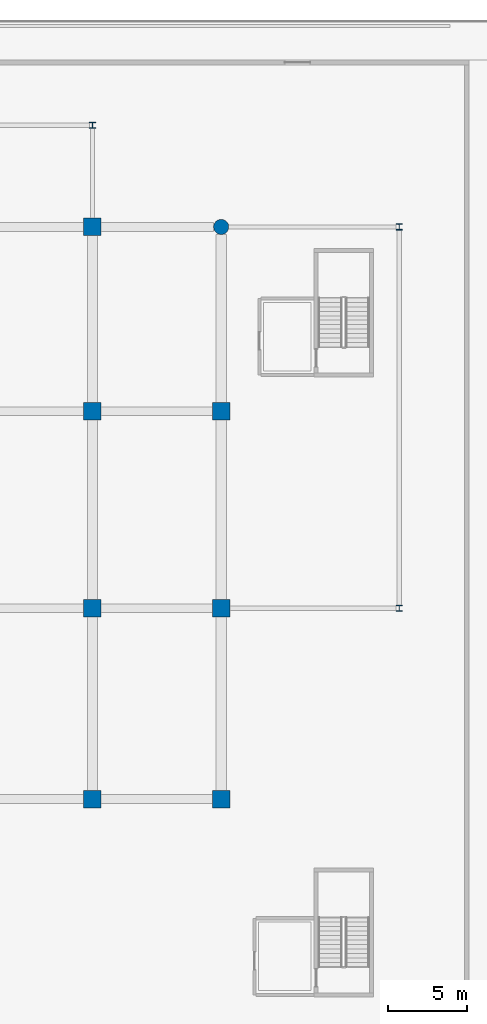
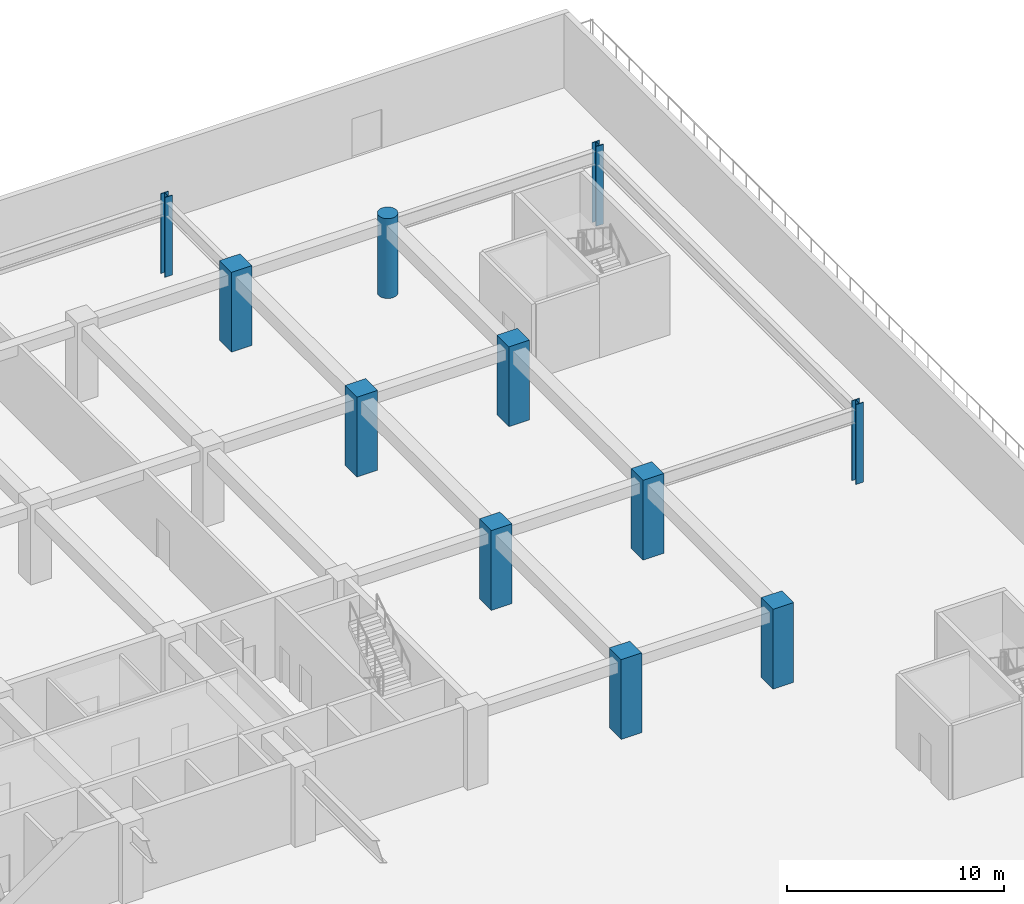
# One storey, part 6 of 40: 11 columns.
"""IFC4 building model written with IfcOpenShell, lengths in metres."""

from ifc_helpers import new_model, si_unit, direction, frame, origin, origin_2d, place, context, subcontext, project, spatial, rectangle, circle, i_section, extrude, material, material_profile, profile_set, type_object, element, save


model = new_model("IFC4")

# Units and contexts
model_context = context("Model", 3, precision=1e-05, world=origin(), true_north=direction((0.0, 1.0)))
body_context = subcontext(model_context, "Body", "Model", "MODEL_VIEW")
ifc_project = project(units=[si_unit("LENGTHUNIT", "METRE"), si_unit("AREAUNIT", "SQUARE_METRE"), si_unit("VOLUMEUNIT", "CUBIC_METRE"), si_unit("PLANEANGLEUNIT", "RADIAN"), si_unit("MASSUNIT", "GRAM", prefix="KILO")], contexts=[model_context])

# Site, building, storey
site_placement = place(None, origin())
site = spatial("IfcSite", under=ifc_project, at=site_placement, CompositionType="ELEMENT")
building_placement = place(site_placement, origin())
building = spatial("IfcBuilding", under=site, at=building_placement, Name="Korimba Cascade Residences", CompositionType="ELEMENT")
storey_placement = place(building_placement, frame((0.0, 0.0, 14.5)))
storey = spatial("IfcBuildingStorey", under=building, at=storey_placement, Name="L03", CompositionType="ELEMENT", Elevation=14.5)

# Columns
ifc_material_1 = material(Name="Concrete C80/95", Category="concrete")
ifc_material_profile_1 = material_profile(ifc_material_1, rectangle(XDim=1.10009765625, YDim=1.10009765625, at=origin_2d()), Name="Concrete C80/95")
ifc_profile_set_1 = profile_set([ifc_material_profile_1], Name="Concrete C80/95")
column_type_1 = type_object("IfcColumnType", Name="COL-RC-1100", PredefinedType="COLUMN", material=ifc_profile_set_1)
for number, where, z_axis, x_axis, name in (
    (1, (120.300048828125, 55.199951171875, 0.0), (0.0, 0.0, 1.0), (1.0, 0.0, 0.0), "L03 Tower 1 Column 8.1"),
    (2, (120.300048828125, 67.199951171875, 0.0), (0.0, 0.0, 1.0), (1.0, 0.0, 0.0), "L03 Tower 1 Column 8.2"),
    (3, (120.300048828125, 79.60009765625, 0.0), (0.0, 0.0, 1.0), (1.0, 0.0, 0.0), "L03 Tower 1 Column 8.3"),
    (4, (120.300048828125, 91.199951171875, 0.0), (0.0, 0.0, 1.0), (1.0, 0.0, 0.0), "L03 Tower 1 Column 8.4"),
    (5, (128.39990234375, 55.199951171875, 0.0), (0.0, 0.0, 1.0), (1.0, 0.0, 0.0), "L03 Tower 1 Column 9.1"),
    (6, (128.39990234375, 67.199951171875, 0.0), (0.0, 0.0, 1.0), (1.0, 0.0, 0.0), "L03 Tower 1 Column 9.2"),
    (7, (128.39990234375, 79.60009765625, 0.0), (0.0, 0.0, 1.0), (1.0, 0.0, 0.0), "L03 Tower 1 Column 9.3"),
):
    element("IfcColumn", number, at=place(storey_placement, frame(where, z_axis=z_axis, x_axis=x_axis)), inside=storey, type_object=column_type_1, Name=name, PredefinedType="COLUMN", context=body_context, shape_type="SweptSolid", body=[
        extrude(rectangle(XDim=1.10009765625, YDim=1.10009765625, at=origin_2d()), origin(), (0.0, 0.0, 1.0), 4.5),
    ])
ifc_material_profile_2 = material_profile(ifc_material_1, circle(Radius=0.47509765625, at=origin_2d()), Name="Concrete C80/95")
ifc_profile_set_2 = profile_set([ifc_material_profile_2], Name="Concrete C80/95")
column_type_2 = type_object("IfcColumnType", Name="COL-RC-D950", PredefinedType="COLUMN", material=ifc_profile_set_2)
column_placement = place(storey_placement, frame((128.39990234375, 91.199951171875, 0.0), z_axis=(0.0, 0.0, 1.0), x_axis=(1.0, 0.0, 0.0)))
element("IfcColumn", 8, at=column_placement, inside=storey, type_object=column_type_2, Name="L03 Tower 1 Column 9.4", PredefinedType="COLUMN", context=body_context, shape_type="SweptSolid", body=[
    extrude(circle(Radius=0.47509765625, at=origin_2d()), origin(), (0.0, 0.0, 1.0), 4.5),
])
ifc_material_2 = material(Name="Steel S355", Category="steel")
ifc_material_profile_3 = material_profile(ifc_material_2, i_section(OverallWidth=0.39892578125, OverallDepth=0.3935546875, WebThickness=0.022705078125, FlangeThickness=0.03662109375, FilletRadius=0.01513671875, at=origin_2d()), Name="Steel S355")
ifc_profile_set_3 = profile_set([ifc_material_profile_3], Name="Steel S355")
column_type_3 = type_object("IfcColumnType", Name="COL-STL-UC287", PredefinedType="COLUMN", material=ifc_profile_set_3)
for number, where, z_axis, x_axis, name in (
    (9, (139.60009765625, 67.199951171875, 0.0), (0.0, 0.0, 1.0), (1.0, 0.0, 0.0), "L03 Podium Column PCE3"),
    (10, (139.60009765625, 91.199951171875, 0.0), (0.0, 0.0, 1.0), (1.0, 0.0, 0.0), "L03 Podium Column PCE4"),
    (11, (120.300048828125, 97.60009765625, 0.0), (0.0, 0.0, 1.0), (1.0, 0.0, 0.0), "L03 Podium Column PCN3"),
):
    element("IfcColumn", number, at=place(storey_placement, frame(where, z_axis=z_axis, x_axis=x_axis)), inside=storey, type_object=column_type_3, Name=name, PredefinedType="COLUMN", context=body_context, shape_type="SweptSolid", body=[
        extrude(i_section(OverallWidth=0.39892578125, OverallDepth=0.3935546875, WebThickness=0.022705078125, FlangeThickness=0.03662109375, FilletRadius=0.01513671875, at=origin_2d()), origin(), (0.0, 0.0, 1.0), 4.5),
    ])

save(model, "model.ifc")
